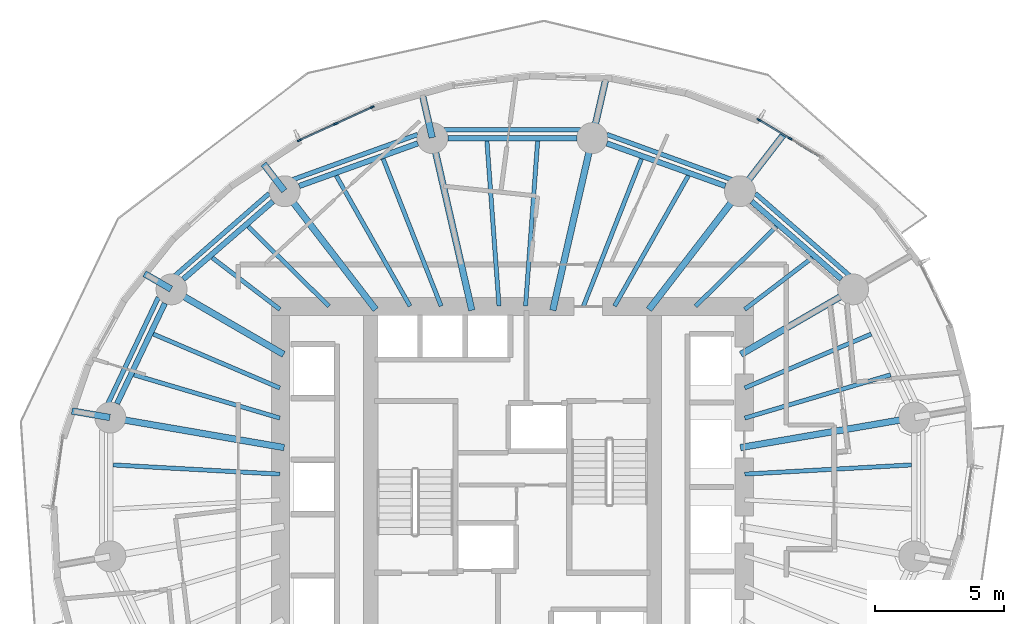
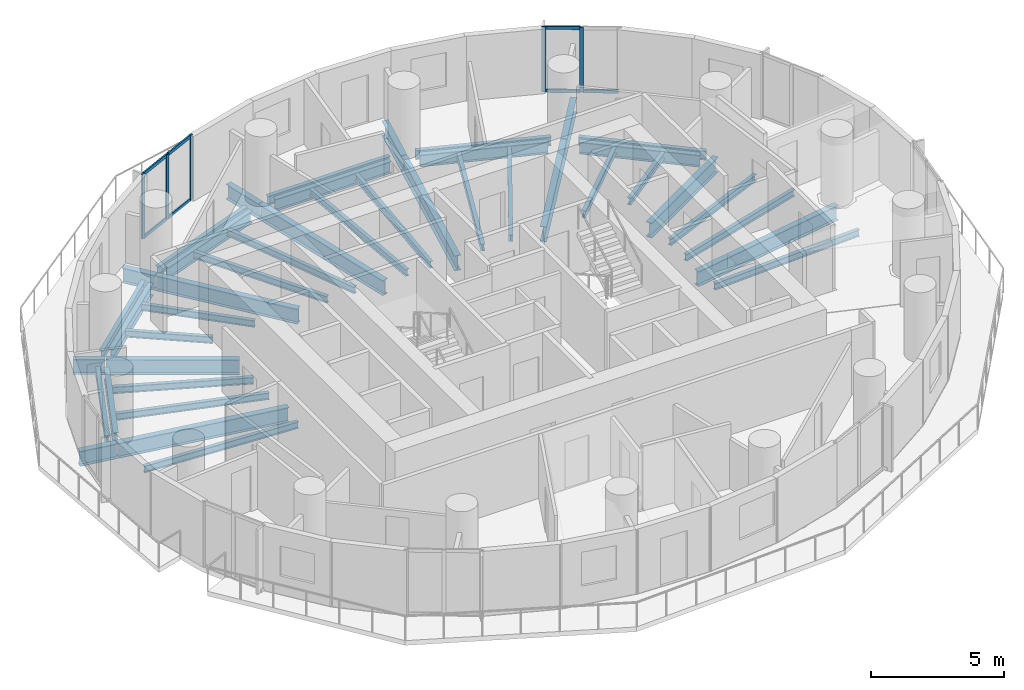
# One storey, part 4 of 14: 42 beams, 12 members, 2 elements without a shape of their own.
"""IFC4 building model written with IfcOpenShell, lengths in metres."""

from ifc_helpers import new_model, si_unit, direction, frame, origin, origin_2d, place, context, subcontext, project, spatial, rectangle, i_section, extrude, material, material_profile, profile_set, type_object, element, aggregate, save


model = new_model("IFC4")

# Units and contexts
model_context = context("Model", 3, precision=1e-05, world=origin(), true_north=direction((0.0, 1.0)))
body_context = subcontext(model_context, "Body", "Model", "MODEL_VIEW")
ifc_project = project(units=[si_unit("LENGTHUNIT", "METRE"), si_unit("AREAUNIT", "SQUARE_METRE"), si_unit("VOLUMEUNIT", "CUBIC_METRE"), si_unit("PLANEANGLEUNIT", "RADIAN"), si_unit("MASSUNIT", "GRAM", prefix="KILO")], contexts=[model_context])

# Site, building, storey
site_placement = place(None, origin())
site = spatial("IfcSite", under=ifc_project, at=site_placement, CompositionType="ELEMENT")
building_placement = place(site_placement, origin())
building = spatial("IfcBuilding", under=site, at=building_placement, Name="Veldorim Arch Residences", CompositionType="ELEMENT")
storey_placement = place(building_placement, frame((0.0, 0.0, 86.8798828125)))
storey = spatial("IfcBuildingStorey", under=building, at=storey_placement, Name="L25", CompositionType="ELEMENT", Elevation=86.8798828125)

# Beams
ifc_material_1 = material(Name="Steel S355", Category="steel")
ifc_material_profile_1 = material_profile(ifc_material_1, i_section(OverallWidth=0.2119140625, OverallDepth=0.54443359375, WebThickness=0.0126953125, FlangeThickness=0.021240234375, at=origin_2d()), Name="UB533x210x122")
ifc_profile_set_1 = profile_set([ifc_material_profile_1], Name="Steel S355")
beam_type_1 = type_object("IfcBeamType", Name="Structural Steel Beam UB533x210x122", PredefinedType="BEAM", material=ifc_profile_set_1)
beam_1_placement = place(storey_placement, frame((44.767333984375, 32.060302734375, -0.511962890625), z_axis=(-0.755244952556, 0.655442645576, 0.0), x_axis=(-0.655442645576, -0.755244952556, 0.0)))
element("IfcBeam", 1, at=beam_1_placement, inside=storey, type_object=beam_type_1, Name="L25 perimeter ring tie beam 02", PredefinedType="BEAM", context=body_context, shape_type="SweptSolid", body=[
    extrude(i_section(OverallWidth=0.2119140625, OverallDepth=0.54443359375, WebThickness=0.0126953125, FlangeThickness=0.021240234375, at=origin_2d()), origin(), (0.0, 0.0, 1.0), 4.608642578125),
])
beam_2_placement = place(storey_placement, frame((40.26904296875, 35.67724609375, -0.511962890625), z_axis=(-0.941041944493, 0.338289903343, 0.0), x_axis=(-0.338289903343, -0.941041944493, 0.0)))
element("IfcBeam", 2, at=beam_2_placement, inside=storey, type_object=beam_type_1, Name="L25 perimeter ring tie beam 03", PredefinedType="BEAM", context=body_context, shape_type="SweptSolid", body=[
    extrude(i_section(OverallWidth=0.2119140625, OverallDepth=0.54443359375, WebThickness=0.0126953125, FlangeThickness=0.021240234375, at=origin_2d()), origin(), (0.0, 0.0, 1.0), 4.890869140625),
])
beam_3_placement = place(storey_placement, frame((34.501953125, 37.534912109375, -0.511962890625), z_axis=(-1.0, 0.0, 0.0), x_axis=(0.0, -1.0, 0.0)))
element("IfcBeam", 3, at=beam_3_placement, inside=storey, type_object=beam_type_1, Name="L25 perimeter ring tie beam 04", PredefinedType="BEAM", context=body_context, shape_type="SweptSolid", body=[
    extrude(i_section(OverallWidth=0.2119140625, OverallDepth=0.54443359375, WebThickness=0.0126953125, FlangeThickness=0.021240234375, at=origin_2d()), origin(), (0.0, 0.0, 1.0), 5.00390625),
])
beam_4_placement = place(storey_placement, frame((28.33349609375, 37.331787109375, -0.511962890625), z_axis=(-0.941041944493, -0.338289903343, 0.0), x_axis=(0.338289903343, -0.941041944493, 0.0)))
element("IfcBeam", 4, at=beam_4_placement, inside=storey, type_object=beam_type_1, Name="L25 perimeter ring tie beam 05", PredefinedType="BEAM", context=body_context, shape_type="SweptSolid", body=[
    extrude(i_section(OverallWidth=0.2119140625, OverallDepth=0.54443359375, WebThickness=0.0126953125, FlangeThickness=0.021240234375, at=origin_2d()), origin(), (0.0, 0.0, 1.0), 4.890869140625),
])
beam_5_placement = place(storey_placement, frame((22.71337890625, 35.0810546875, -0.511962890625), z_axis=(-0.755244952556, -0.655442645576, 0.0), x_axis=(0.655442645576, -0.755244952556, 0.0)))
element("IfcBeam", 5, at=beam_5_placement, inside=storey, type_object=beam_type_1, Name="L25 perimeter ring tie beam 06", PredefinedType="BEAM", context=body_context, shape_type="SweptSolid", body=[
    extrude(i_section(OverallWidth=0.2119140625, OverallDepth=0.54443359375, WebThickness=0.0126953125, FlangeThickness=0.021240234375, at=origin_2d()), origin(), (0.0, 0.0, 1.0), 4.608642578125),
])
beam_6_placement = place(storey_placement, frame((18.521240234375, 31.12548828125, -0.511962890625), z_axis=(-0.430720154476, -0.902485539235, 0.0), x_axis=(0.902485539235, -0.430720154476, 0.0)))
element("IfcBeam", 6, at=beam_6_placement, inside=storey, type_object=beam_type_1, Name="L25 perimeter ring tie beam 07", PredefinedType="BEAM", context=body_context, shape_type="SweptSolid", body=[
    extrude(i_section(OverallWidth=0.2119140625, OverallDepth=0.54443359375, WebThickness=0.0126953125, FlangeThickness=0.021240234375, at=origin_2d()), origin(), (0.0, 0.0, 1.0), 4.312255859375),
])
ifc_material_2 = material(Name="Steel S355", Category="steel")
ifc_material_profile_2 = material_profile(ifc_material_2, i_section(OverallWidth=0.25439453125, OverallDepth=0.6875, WebThickness=0.01318359375, FlangeThickness=0.02099609375, at=origin_2d()), Name="UB686x254x152")
ifc_profile_set_2 = profile_set([ifc_material_profile_2], Name="Steel S355")
beam_type_2 = type_object("IfcBeamType", Name="Structural Steel GIRDER UB686x254x152", PredefinedType="USERDEFINED", material=ifc_profile_set_2)
beam_7_placement = place(storey_placement, frame((40.852294921875, 25.5283203125, -0.58349609375), z_axis=(0.985426622718, 0.17010106184, 0.0), x_axis=(-0.17010106184, 0.985426622718, 0.0)))
element("IfcBeam", 7, at=beam_7_placement, inside=storey, type_object=beam_type_2, Name="L25 radial floor girder 01", ObjectType="GIRDER", PredefinedType="USERDEFINED", context=body_context, shape_type="SweptSolid", body=[
    extrude(i_section(OverallWidth=0.25439453125, OverallDepth=0.6875, WebThickness=0.01318359375, FlangeThickness=0.02099609375, at=origin_2d()), origin(), (0.0, 0.0, 1.0), 6.82177734375),
])
beam_8_placement = place(storey_placement, frame((40.8701171875, 29.14404296875, -0.58349609375), z_axis=(0.865048957682, 0.501687453314, 0.0), x_axis=(-0.501687453314, 0.865048957682, 0.0)))
element("IfcBeam", 8, at=beam_8_placement, inside=storey, type_object=beam_type_2, Name="L25 radial floor girder 02", ObjectType="GIRDER", PredefinedType="USERDEFINED", context=body_context, shape_type="SweptSolid", body=[
    extrude(i_section(OverallWidth=0.25439453125, OverallDepth=0.6875, WebThickness=0.01318359375, FlangeThickness=0.02099609375, at=origin_2d()), origin(), (0.0, 0.0, 1.0), 5.009033203125),
])
beam_9_placement = place(storey_placement, frame((37.297607421875, 30.881103515625, -0.58349609375), z_axis=(0.609994628196, 0.792405548676, 0.0), x_axis=(-0.792405548676, 0.609994628196, 0.0)))
element("IfcBeam", 9, at=beam_9_placement, inside=storey, type_object=beam_type_2, Name="L25 radial floor girder 03", ObjectType="GIRDER", PredefinedType="USERDEFINED", context=body_context, shape_type="SweptSolid", body=[
    extrude(i_section(OverallWidth=0.25439453125, OverallDepth=0.6875, WebThickness=0.01318359375, FlangeThickness=0.02099609375, at=origin_2d()), origin(), (0.0, 0.0, 1.0), 5.776611328125),
])
beam_10_placement = place(storey_placement, frame((40.845703125, 35.489990234375, -0.58349609375), z_axis=(0.610003108496, 0.792399020459, 0.0), x_axis=(-0.792399020459, 0.610003108496, 0.0)))
element("IfcBeam", 10, at=beam_10_placement, inside=storey, type_object=beam_type_2, Name="L25 radial edge cantilever girder 03", ObjectType="GIRDER", PredefinedType="USERDEFINED", context=body_context, shape_type="SweptSolid", body=[
    extrude(i_section(OverallWidth=0.25439453125, OverallDepth=0.6875, WebThickness=0.01318359375, FlangeThickness=0.02099609375, at=origin_2d()), origin(), (0.0, 0.0, 1.0), 2.743896484375),
])
beam_11_placement = place(storey_placement, frame((33.57080078125, 30.853759765625, -0.58349609375), z_axis=(0.223374742148, 0.97473264261, 0.0), x_axis=(-0.97473264261, 0.223374742148, 0.0)))
element("IfcBeam", 11, at=beam_11_placement, inside=storey, type_object=beam_type_2, Name="L25 radial floor girder 04", ObjectType="GIRDER", PredefinedType="USERDEFINED", context=body_context, shape_type="SweptSolid", body=[
    extrude(i_section(OverallWidth=0.25439453125, OverallDepth=0.6875, WebThickness=0.01318359375, FlangeThickness=0.02099609375, at=origin_2d()), origin(), (0.0, 0.0, 1.0), 6.834228515625),
])
beam_12_placement = place(storey_placement, frame((35.1064453125, 37.55419921875, -0.58349609375), z_axis=(0.223325717101, 0.974743876145, 0.0), x_axis=(-0.974743876145, 0.223325717101, 0.0)))
element("IfcBeam", 12, at=beam_12_placement, inside=storey, type_object=beam_type_2, Name="L25 radial edge cantilever girder 04", ObjectType="GIRDER", PredefinedType="USERDEFINED", context=body_context, shape_type="SweptSolid", body=[
    extrude(i_section(OverallWidth=0.25439453125, OverallDepth=0.6875, WebThickness=0.01318359375, FlangeThickness=0.02099609375, at=origin_2d()), origin(), (0.0, 0.0, 1.0), 2.395263671875),
])
beam_13_placement = place(storey_placement, frame((30.42919921875, 30.853759765625, -0.58349609375), z_axis=(-0.223374742148, 0.97473264261, 0.0), x_axis=(-0.97473264261, -0.223374742148, 0.0)))
element("IfcBeam", 13, at=beam_13_placement, inside=storey, type_object=beam_type_2, Name="L25 radial floor girder 05", ObjectType="GIRDER", PredefinedType="USERDEFINED", context=body_context, shape_type="SweptSolid", body=[
    extrude(i_section(OverallWidth=0.25439453125, OverallDepth=0.6875, WebThickness=0.01318359375, FlangeThickness=0.02099609375, at=origin_2d()), origin(), (0.0, 0.0, 1.0), 6.834228515625),
])
beam_14_placement = place(storey_placement, frame((28.8935546875, 37.55419921875, -0.58349609375), z_axis=(-0.223398006298, 0.974727310986, 0.0), x_axis=(-0.974727310986, -0.223398006298, 0.0)))
element("IfcBeam", 14, at=beam_14_placement, inside=storey, type_object=beam_type_2, Name="L25 radial edge cantilever girder 05", ObjectType="GIRDER", PredefinedType="USERDEFINED", context=body_context, shape_type="SweptSolid", body=[
    extrude(i_section(OverallWidth=0.25439453125, OverallDepth=0.6875, WebThickness=0.01318359375, FlangeThickness=0.02099609375, at=origin_2d()), origin(), (0.0, 0.0, 1.0), 1.769287109375),
])
beam_15_placement = place(storey_placement, frame((26.702392578125, 30.881103515625, -0.58349609375), z_axis=(-0.609994628196, 0.792405548676, 0.0), x_axis=(-0.792405548676, -0.609994628196, 0.0)))
element("IfcBeam", 15, at=beam_15_placement, inside=storey, type_object=beam_type_2, Name="L25 radial floor girder 06", ObjectType="GIRDER", PredefinedType="USERDEFINED", context=body_context, shape_type="SweptSolid", body=[
    extrude(i_section(OverallWidth=0.25439453125, OverallDepth=0.6875, WebThickness=0.01318359375, FlangeThickness=0.02099609375, at=origin_2d()), origin(), (0.0, 0.0, 1.0), 5.776611328125),
])
beam_16_placement = place(storey_placement, frame((23.154296875, 35.489990234375, -0.58349609375), z_axis=(-0.609952716704, 0.792437810421, 0.0), x_axis=(-0.792437810421, -0.609952716704, 0.0)))
element("IfcBeam", 16, at=beam_16_placement, inside=storey, type_object=beam_type_2, Name="L25 radial edge cantilever girder 06", ObjectType="GIRDER", PredefinedType="USERDEFINED", context=body_context, shape_type="SweptSolid", body=[
    extrude(i_section(OverallWidth=0.25439453125, OverallDepth=0.6875, WebThickness=0.01318359375, FlangeThickness=0.02099609375, at=origin_2d()), origin(), (0.0, 0.0, 1.0), 1.31640625),
])
beam_17_placement = place(storey_placement, frame((23.1298828125, 29.14404296875, -0.58349609375), z_axis=(-0.865048957682, 0.501687453314, 0.0), x_axis=(-0.501687453314, -0.865048957682, 0.0)))
element("IfcBeam", 17, at=beam_17_placement, inside=storey, type_object=beam_type_2, Name="L25 radial floor girder 07", ObjectType="GIRDER", PredefinedType="USERDEFINED", context=body_context, shape_type="SweptSolid", body=[
    extrude(i_section(OverallWidth=0.25439453125, OverallDepth=0.6875, WebThickness=0.01318359375, FlangeThickness=0.02099609375, at=origin_2d()), origin(), (0.0, 0.0, 1.0), 5.009033203125),
])
beam_18_placement = place(storey_placement, frame((18.76220703125, 31.677001953125, -0.58349609375), z_axis=(-0.865034732672, 0.501711980394, 0.0), x_axis=(-0.501711980394, -0.865034732672, 0.0)))
element("IfcBeam", 18, at=beam_18_placement, inside=storey, type_object=beam_type_2, Name="L25 radial edge cantilever girder 07", ObjectType="GIRDER", PredefinedType="USERDEFINED", context=body_context, shape_type="SweptSolid", body=[
    extrude(i_section(OverallWidth=0.25439453125, OverallDepth=0.6875, WebThickness=0.01318359375, FlangeThickness=0.02099609375, at=origin_2d()), origin(), (0.0, 0.0, 1.0), 1.196044921875),
])
beam_19_placement = place(storey_placement, frame((23.147705078125, 25.5283203125, -0.58349609375), z_axis=(-0.985426622718, 0.17010106184, 0.0), x_axis=(-0.17010106184, -0.985426622718, 0.0)))
element("IfcBeam", 19, at=beam_19_placement, inside=storey, type_object=beam_type_2, Name="L25 radial floor girder 08", ObjectType="GIRDER", PredefinedType="USERDEFINED", context=body_context, shape_type="SweptSolid", body=[
    extrude(i_section(OverallWidth=0.25439453125, OverallDepth=0.6875, WebThickness=0.01318359375, FlangeThickness=0.02099609375, at=origin_2d()), origin(), (0.0, 0.0, 1.0), 6.82177734375),
])
beam_20_placement = place(storey_placement, frame((16.3857421875, 26.695556640625, -0.58349609375), z_axis=(-0.985432749293, 0.170065565652, 0.0), x_axis=(-0.170065565652, -0.985432749293, 0.0)))
element("IfcBeam", 20, at=beam_20_placement, inside=storey, type_object=beam_type_2, Name="L25 radial edge cantilever girder 08", ObjectType="GIRDER", PredefinedType="USERDEFINED", context=body_context, shape_type="SweptSolid", body=[
    extrude(i_section(OverallWidth=0.25439453125, OverallDepth=0.6875, WebThickness=0.01318359375, FlangeThickness=0.02099609375, at=origin_2d()), origin(), (0.0, 0.0, 1.0), 1.494384765625),
])
ifc_material_3 = material(Name="Steel S355", Category="steel")
ifc_material_profile_3 = material_profile(ifc_material_3, i_section(OverallWidth=0.165771484375, OverallDepth=0.306640625, WebThickness=0.006591796875, FlangeThickness=0.01171875, at=origin_2d()), Name="UB305x165x46")
ifc_profile_set_3 = profile_set([ifc_material_profile_3], Name="Steel S355")
beam_type_3 = type_object("IfcBeamType", Name="Structural Steel Joist UB305x165x46", PredefinedType="JOIST", material=ifc_profile_set_3)
beam_21_placement = place(storey_placement, frame((41.019287109375, 26.673583984375, -0.39306640625), z_axis=(0.958753061488, 0.284240333324, 0.0), x_axis=(-0.284240333324, 0.958753061488, 0.0)))
element("IfcBeam", 21, at=beam_21_placement, inside=storey, type_object=beam_type_3, Name="L25 secondary radial floor joist 01-1", PredefinedType="JOIST", context=body_context, shape_type="SweptSolid", body=[
    extrude(i_section(OverallWidth=0.165771484375, OverallDepth=0.306640625, WebThickness=0.006591796875, FlangeThickness=0.01171875, at=origin_2d()), origin(), (0.0, 0.0, 1.0), 5.906005859375),
])
beam_22_placement = place(storey_placement, frame((41.018310546875, 27.841552734375, -0.39306640625), z_axis=(0.919997395122, 0.391924473552, 0.0), x_axis=(-0.391924473552, 0.919997395122, 0.0)))
element("IfcBeam", 22, at=beam_22_placement, inside=storey, type_object=beam_type_3, Name="L25 secondary radial floor joist 01-2", PredefinedType="JOIST", context=body_context, shape_type="SweptSolid", body=[
    extrude(i_section(OverallWidth=0.165771484375, OverallDepth=0.306640625, WebThickness=0.006591796875, FlangeThickness=0.01171875, at=origin_2d()), origin(), (0.0, 0.0, 1.0), 5.334716796875),
])
beam_23_placement = place(storey_placement, frame((41.015869140625, 30.888427734375, -0.39306640625), z_axis=(0.794594763594, 0.60714014994, 0.0), x_axis=(-0.60714014994, 0.794594763594, 0.0)))
element("IfcBeam", 23, at=beam_23_placement, inside=storey, type_object=beam_type_3, Name="L25 secondary radial floor joist 02-1", PredefinedType="JOIST", context=body_context, shape_type="SweptSolid", body=[
    extrude(i_section(OverallWidth=0.165771484375, OverallDepth=0.306640625, WebThickness=0.006591796875, FlangeThickness=0.01171875, at=origin_2d()), origin(), (0.0, 0.0, 1.0), 3.30419921875),
])
beam_24_placement = place(storey_placement, frame((39.114013671875, 31.013916015625, -0.39306640625), z_axis=(0.712111629941, 0.702066255066, 0.0), x_axis=(-0.702066255066, 0.712111629941, 0.0)))
element("IfcBeam", 24, at=beam_24_placement, inside=storey, type_object=beam_type_3, Name="L25 secondary radial floor joist 02-2", PredefinedType="JOIST", context=body_context, shape_type="SweptSolid", body=[
    extrude(i_section(OverallWidth=0.165771484375, OverallDepth=0.306640625, WebThickness=0.006591796875, FlangeThickness=0.01171875, at=origin_2d()), origin(), (0.0, 0.0, 1.0), 4.39892578125),
])
beam_25_placement = place(storey_placement, frame((35.96826171875, 31.017333984375, -0.39306640625), z_axis=(0.492227411199, 0.870466642476, 0.0), x_axis=(-0.870466642476, 0.492227411199, 0.0)))
element("IfcBeam", 25, at=beam_25_placement, inside=storey, type_object=beam_type_3, Name="L25 secondary radial floor joist 03-1", PredefinedType="JOIST", context=body_context, shape_type="SweptSolid", body=[
    extrude(i_section(OverallWidth=0.165771484375, OverallDepth=0.306640625, WebThickness=0.006591796875, FlangeThickness=0.01171875, at=origin_2d()), origin(), (0.0, 0.0, 1.0), 5.81494140625),
])
beam_26_placement = place(storey_placement, frame((34.761962890625, 31.0185546875, -0.39306640625), z_axis=(0.366194870364, 0.930538186707, 0.0), x_axis=(-0.930538186707, 0.366194870364, 0.0)))
element("IfcBeam", 26, at=beam_26_placement, inside=storey, type_object=beam_type_3, Name="L25 secondary radial floor joist 03-2", PredefinedType="JOIST", context=body_context, shape_type="SweptSolid", body=[
    extrude(i_section(OverallWidth=0.165771484375, OverallDepth=0.306640625, WebThickness=0.006591796875, FlangeThickness=0.01171875, at=origin_2d()), origin(), (0.0, 0.0, 1.0), 6.1396484375),
])
for number, where, z_axis, x_axis, name in (
    (27, (32.514892578125, 31.02001953125, -0.39306640625), (0.073143494169, 0.997321427254, 0.0), (-0.997321427254, 0.073143494169, 0.0), "L25 secondary radial floor joist 04-1"),
    (28, (31.485107421875, 31.02001953125, -0.39306640625), (-0.073143494169, 0.997321427254, 0.0), (-0.997321427254, -0.073143494169, 0.0), "L25 secondary radial floor joist 04-2"),
):
    element("IfcBeam", number, at=place(storey_placement, frame(where, z_axis=z_axis, x_axis=x_axis)), inside=storey, type_object=beam_type_3, Name=name, PredefinedType="JOIST", context=body_context, shape_type="SweptSolid", body=[
        extrude(i_section(OverallWidth=0.165771484375, OverallDepth=0.306640625, WebThickness=0.006591796875, FlangeThickness=0.01171875, at=origin_2d()), origin(), (0.0, 0.0, 1.0), 6.421875),
    ])
beam_27_placement = place(storey_placement, frame((29.238037109375, 31.0185546875, -0.39306640625), z_axis=(-0.366194870364, 0.930538186707, 0.0), x_axis=(-0.930538186707, -0.366194870364, 0.0)))
element("IfcBeam", 29, at=beam_27_placement, inside=storey, type_object=beam_type_3, Name="L25 secondary radial floor joist 05-1", PredefinedType="JOIST", context=body_context, shape_type="SweptSolid", body=[
    extrude(i_section(OverallWidth=0.165771484375, OverallDepth=0.306640625, WebThickness=0.006591796875, FlangeThickness=0.01171875, at=origin_2d()), origin(), (0.0, 0.0, 1.0), 6.1396484375),
])
beam_28_placement = place(storey_placement, frame((28.03173828125, 31.017333984375, -0.39306640625), z_axis=(-0.492227411199, 0.870466642476, 0.0), x_axis=(-0.870466642476, -0.492227411199, 0.0)))
element("IfcBeam", 30, at=beam_28_placement, inside=storey, type_object=beam_type_3, Name="L25 secondary radial floor joist 05-2", PredefinedType="JOIST", context=body_context, shape_type="SweptSolid", body=[
    extrude(i_section(OverallWidth=0.165771484375, OverallDepth=0.306640625, WebThickness=0.006591796875, FlangeThickness=0.01171875, at=origin_2d()), origin(), (0.0, 0.0, 1.0), 5.81494140625),
])
beam_29_placement = place(storey_placement, frame((24.885986328125, 31.013916015625, -0.39306640625), z_axis=(-0.712111629941, 0.702066255066, 0.0), x_axis=(-0.702066255066, -0.712111629941, 0.0)))
element("IfcBeam", 31, at=beam_29_placement, inside=storey, type_object=beam_type_3, Name="L25 secondary radial floor joist 06-1", PredefinedType="JOIST", context=body_context, shape_type="SweptSolid", body=[
    extrude(i_section(OverallWidth=0.165771484375, OverallDepth=0.306640625, WebThickness=0.006591796875, FlangeThickness=0.01171875, at=origin_2d()), origin(), (0.0, 0.0, 1.0), 4.39892578125),
])
beam_30_placement = place(storey_placement, frame((22.984130859375, 30.888427734375, -0.39306640625), z_axis=(-0.794594763594, 0.60714014994, 0.0), x_axis=(-0.60714014994, -0.794594763594, 0.0)))
element("IfcBeam", 32, at=beam_30_placement, inside=storey, type_object=beam_type_3, Name="L25 secondary radial floor joist 06-2", PredefinedType="JOIST", context=body_context, shape_type="SweptSolid", body=[
    extrude(i_section(OverallWidth=0.165771484375, OverallDepth=0.306640625, WebThickness=0.006591796875, FlangeThickness=0.01171875, at=origin_2d()), origin(), (0.0, 0.0, 1.0), 3.30419921875),
])
beam_31_placement = place(storey_placement, frame((22.981689453125, 27.841552734375, -0.39306640625), z_axis=(-0.919997395122, 0.391924473552, 0.0), x_axis=(-0.391924473552, -0.919997395122, 0.0)))
element("IfcBeam", 33, at=beam_31_placement, inside=storey, type_object=beam_type_3, Name="L25 secondary radial floor joist 07-1", PredefinedType="JOIST", context=body_context, shape_type="SweptSolid", body=[
    extrude(i_section(OverallWidth=0.165771484375, OverallDepth=0.306640625, WebThickness=0.006591796875, FlangeThickness=0.01171875, at=origin_2d()), origin(), (0.0, 0.0, 1.0), 5.334716796875),
])
beam_32_placement = place(storey_placement, frame((22.980712890625, 26.673583984375, -0.39306640625), z_axis=(-0.958753061488, 0.284240333324, 0.0), x_axis=(-0.284240333324, -0.958753061488, 0.0)))
element("IfcBeam", 34, at=beam_32_placement, inside=storey, type_object=beam_type_3, Name="L25 secondary radial floor joist 07-2", PredefinedType="JOIST", context=body_context, shape_type="SweptSolid", body=[
    extrude(i_section(OverallWidth=0.165771484375, OverallDepth=0.306640625, WebThickness=0.006591796875, FlangeThickness=0.01171875, at=origin_2d()), origin(), (0.0, 0.0, 1.0), 5.906005859375),
])
for number, where, z_axis, x_axis, name in (
    (35, (22.97998046875, 24.498291015625, -0.39306640625), (-0.99847713097, 0.055167190702, 0.0), (-0.055167190702, -0.99847713097, 0.0), "L25 secondary radial floor joist 08-1"),
    (36, (41.02001953125, 24.498291015625, -0.39306640625), (0.99847713097, 0.055167190702, 0.0), (-0.055167190702, 0.99847713097, 0.0), "L25 secondary radial floor joist 16-2"),
):
    element("IfcBeam", number, at=place(storey_placement, frame(where, z_axis=z_axis, x_axis=x_axis)), inside=storey, type_object=beam_type_3, Name=name, PredefinedType="JOIST", context=body_context, shape_type="SweptSolid", body=[
        extrude(i_section(OverallWidth=0.165771484375, OverallDepth=0.306640625, WebThickness=0.006591796875, FlangeThickness=0.01171875, at=origin_2d()), origin(), (0.0, 0.0, 1.0), 6.474365234375),
    ])
ifc_material_4 = material(Name="Steel S355", Category="steel")
ifc_material_profile_4 = material_profile(ifc_material_4, i_section(OverallWidth=0.1787109375, OverallDepth=0.409423828125, WebThickness=0.0087890625, FlangeThickness=0.014404296875, at=origin_2d()), Name="UB406x178x67")
ifc_profile_set_4 = profile_set([ifc_material_profile_4], Name="Steel S355")
beam_type_4 = type_object("IfcBeamType", Name="Structural Steel Spandrel UB406x178x67", PredefinedType="SPANDREL", material=ifc_profile_set_4)
beam_33_placement = place(storey_placement, frame((45.108154296875, 32.1796875, -0.464599609375), z_axis=(-0.753323239074, 0.65765043714, 0.0), x_axis=(-0.65765043714, -0.753323239074, 0.0)))
element("IfcBeam", 37, at=beam_33_placement, inside=storey, type_object=beam_type_4, Name="L25 perimeter chord spandrel beam 02", PredefinedType="SPANDREL", context=body_context, shape_type="SweptSolid", body=[
    extrude(i_section(OverallWidth=0.1787109375, OverallDepth=0.409423828125, WebThickness=0.0087890625, FlangeThickness=0.014404296875, at=origin_2d()), origin(), (0.0, 0.0, 1.0), 4.879150390625),
])
beam_34_placement = place(storey_placement, frame((40.538330078125, 35.91552734375, -0.464599609375), z_axis=(-0.940307501418, 0.340326024244, 0.0), x_axis=(-0.340326024244, -0.940307501418, 0.0)))
element("IfcBeam", 38, at=beam_34_placement, inside=storey, type_object=beam_type_4, Name="L25 perimeter chord spandrel beam 03", PredefinedType="SPANDREL", context=body_context, shape_type="SweptSolid", body=[
    extrude(i_section(OverallWidth=0.1787109375, OverallDepth=0.409423828125, WebThickness=0.0087890625, FlangeThickness=0.014404296875, at=origin_2d()), origin(), (0.0, 0.0, 1.0), 5.175048828125),
])
beam_35_placement = place(storey_placement, frame((34.647705078125, 37.8564453125, -0.464599609375), z_axis=(-1.0, 0.0, 0.0), x_axis=(0.0, -1.0, 0.0)))
element("IfcBeam", 39, at=beam_35_placement, inside=storey, type_object=beam_type_4, Name="L25 perimeter chord spandrel beam 04", PredefinedType="SPANDREL", context=body_context, shape_type="SweptSolid", body=[
    extrude(i_section(OverallWidth=0.1787109375, OverallDepth=0.409423828125, WebThickness=0.0087890625, FlangeThickness=0.014404296875, at=origin_2d()), origin(), (0.0, 0.0, 1.0), 5.29541015625),
])
beam_36_placement = place(storey_placement, frame((28.327880859375, 37.6767578125, -0.464599609375), z_axis=(-0.940307501418, -0.340326024244, 0.0), x_axis=(0.340326024244, -0.940307501418, 0.0)))
element("IfcBeam", 40, at=beam_36_placement, inside=storey, type_object=beam_type_4, Name="L25 perimeter chord spandrel beam 05", PredefinedType="SPANDREL", context=body_context, shape_type="SweptSolid", body=[
    extrude(i_section(OverallWidth=0.1787109375, OverallDepth=0.409423828125, WebThickness=0.0087890625, FlangeThickness=0.014404296875, at=origin_2d()), origin(), (0.0, 0.0, 1.0), 5.175048828125),
])
beam_37_placement = place(storey_placement, frame((22.5673828125, 35.388427734375, -0.464599609375), z_axis=(-0.753323239074, -0.65765043714, 0.0), x_axis=(0.65765043714, -0.753323239074, 0.0)))
element("IfcBeam", 41, at=beam_37_placement, inside=storey, type_object=beam_type_4, Name="L25 perimeter chord spandrel beam 06", PredefinedType="SPANDREL", context=body_context, shape_type="SweptSolid", body=[
    extrude(i_section(OverallWidth=0.1787109375, OverallDepth=0.409423828125, WebThickness=0.0087890625, FlangeThickness=0.014404296875, at=origin_2d()), origin(), (0.0, 0.0, 1.0), 4.879150390625),
])
beam_38_placement = place(storey_placement, frame((18.267578125, 31.35546875, -0.464599609375), z_axis=(-0.428857472204, -0.903372165021, 0.0), x_axis=(0.903372165021, -0.428857472204, 0.0)))
element("IfcBeam", 42, at=beam_38_placement, inside=storey, type_object=beam_type_4, Name="L25 perimeter chord spandrel beam 07", PredefinedType="SPANDREL", context=body_context, shape_type="SweptSolid", body=[
    extrude(i_section(OverallWidth=0.1787109375, OverallDepth=0.409423828125, WebThickness=0.0087890625, FlangeThickness=0.014404296875, at=origin_2d()), origin(), (0.0, 0.0, 1.0), 4.572021484375),
])

# Curtain wall, members
ifc_material_5 = material(Name="Aluminium", Category="aluminium")
curtain_wall_type = type_object("IfcCurtainWallType", Name="Zone 2 Solar-Control Unitised Curtain Wall", PredefinedType="NOTDEFINED", material=ifc_material_5)
curtain_wall_1_placement = place(storey_placement, origin())
curtain_wall_1 = element("IfcCurtainWall", 43, at=curtain_wall_1_placement, inside=storey, type_object=curtain_wall_type, Name="L25 unitised curtain wall bay 04", PredefinedType="NOTDEFINED")
ifc_material_6 = material(Name="Aluminium", Category="aluminium")
ifc_material_profile_5 = material_profile(ifc_material_6, rectangle(XDim=0.06494140625, YDim=0.1650390625, at=origin_2d()), Name="ALU_MUL_65x165")
ifc_profile_set_5 = profile_set([ifc_material_profile_5], Name="Aluminium")
member_type_1 = type_object("IfcMemberType", Name="Zone 2 Solar-Control Unitised Curtain Wall Mullion 65x165", PredefinedType="MULLION", material=ifc_profile_set_5)
member_1_placement = place(storey_placement, frame((41.569091796875, 38.244873046875, 0.0), z_axis=(0.0, 0.0, 1.0), x_axis=(0.514313089023, 0.857602499098, 0.0)))
member_1 = element("IfcMember", 44, at=member_1_placement, type_object=member_type_1, Name="CW-Z2 mullion 1", PredefinedType="MULLION", context=body_context, shape_type="SweptSolid", body=[
    extrude(rectangle(XDim=0.06494140625, YDim=0.1650390625, at=origin_2d()), origin(), (0.0, 0.0, 1.0), 2.960205078125),
])
member_2_placement = place(storey_placement, frame((42.7841796875, 37.516357421875, 0.0), z_axis=(0.0, 0.0, 1.0), x_axis=(0.514313089023, 0.857602499098, 0.0)))
member_2 = element("IfcMember", 45, at=member_2_placement, type_object=member_type_1, Name="CW-Z2 mullion 2", PredefinedType="MULLION", context=body_context, shape_type="SweptSolid", body=[
    extrude(rectangle(XDim=0.06494140625, YDim=0.1650390625, at=origin_2d()), origin(), (0.0, 0.0, 1.0), 2.960205078125),
])

curtain_wall_2_placement = place(storey_placement, origin())
curtain_wall_2 = element("IfcCurtainWall", 46, at=curtain_wall_2_placement, inside=storey, type_object=curtain_wall_type, Name="L25 unitised curtain wall bay 10", PredefinedType="NOTDEFINED")
member_3_placement = place(storey_placement, frame((23.737548828125, 37.448974609375, 0.0), z_axis=(0.0, 0.0, 1.0), x_axis=(-0.414741699201, 0.909939186399, 0.0)))
member_3 = element("IfcMember", 47, at=member_3_placement, type_object=member_type_1, Name="CW-Z2 mullion 1", PredefinedType="MULLION", context=body_context, shape_type="SweptSolid", body=[
    extrude(rectangle(XDim=0.06494140625, YDim=0.1650390625, at=origin_2d()), origin(), (0.0, 0.0, 1.0), 2.960205078125),
])
member_4_placement = place(storey_placement, frame((25.14990234375, 38.0927734375, 0.0), z_axis=(0.0, 0.0, 1.0), x_axis=(-0.414741699201, 0.909939186399, 0.0)))
member_4 = element("IfcMember", 48, at=member_4_placement, type_object=member_type_1, Name="CW-Z2 mullion 2", PredefinedType="MULLION", context=body_context, shape_type="SweptSolid", body=[
    extrude(rectangle(XDim=0.06494140625, YDim=0.1650390625, at=origin_2d()), origin(), (0.0, 0.0, 1.0), 2.960205078125),
])
member_5_placement = place(storey_placement, frame((26.562255859375, 38.736572265625, 0.0), z_axis=(0.0, 0.0, 1.0), x_axis=(-0.414741699201, 0.909939186399, 0.0)))
member_5 = element("IfcMember", 49, at=member_5_placement, type_object=member_type_1, Name="CW-Z2 mullion 3", PredefinedType="MULLION", context=body_context, shape_type="SweptSolid", body=[
    extrude(rectangle(XDim=0.06494140625, YDim=0.1650390625, at=origin_2d()), origin(), (0.0, 0.0, 1.0), 2.960205078125),
])

# Member
ifc_material_7 = material(Name="Aluminium", Category="aluminium")
ifc_material_profile_6 = material_profile(ifc_material_7, rectangle(XDim=0.06494140625, YDim=0.14501953125, at=origin_2d()), Name="ALU_TRN_65x145")
ifc_profile_set_6 = profile_set([ifc_material_profile_6], Name="Aluminium")
member_type_2 = type_object("IfcMemberType", Name="Zone 2 Solar-Control Unitised Curtain Wall Transom 65x145", PredefinedType="USERDEFINED", material=ifc_profile_set_6)
member_6_placement = place(storey_placement, frame((41.596923828125, 38.228271484375, 0.03271484375), z_axis=(0.857604444173, -0.514309845653, 0.0), x_axis=(0.514309845653, 0.857604444173, 0.0)))
member_6 = element("IfcMember", 50, at=member_6_placement, type_object=member_type_2, Name="CW-Z2 transom 1.1", ObjectType="TRANSOM", PredefinedType="USERDEFINED", context=body_context, shape_type="SweptSolid", body=[
    extrude(rectangle(XDim=0.06494140625, YDim=0.14501953125, at=origin_2d()), origin(), (0.0, 0.0, 1.0), 1.35205078125),
])

member_7_placement = place(storey_placement, frame((41.596923828125, 38.228271484375, 2.927734375), z_axis=(0.857604444173, -0.514309845653, 0.0), x_axis=(0.514309845653, 0.857604444173, 0.0)))
member_7 = element("IfcMember", 51, at=member_7_placement, type_object=member_type_2, Name="CW-Z2 transom 1.2", ObjectType="TRANSOM", PredefinedType="USERDEFINED", context=body_context, shape_type="SweptSolid", body=[
    extrude(rectangle(XDim=0.06494140625, YDim=0.14501953125, at=origin_2d()), origin(), (0.0, 0.0, 1.0), 1.35205078125),
])

member_8_placement = place(storey_placement, frame((42.81201171875, 37.49951171875, 0.03271484375), z_axis=(0.857636334709, -0.514256664894, 0.0), x_axis=(0.514256664894, 0.857636334709, 0.0)))
member_8 = element("IfcMember", 52, at=member_8_placement, type_object=member_type_2, Name="CW-Z2 transom 2.1", ObjectType="TRANSOM", PredefinedType="USERDEFINED", context=body_context, shape_type="SweptSolid", body=[
    extrude(rectangle(XDim=0.06494140625, YDim=0.14501953125, at=origin_2d()), origin(), (0.0, 0.0, 1.0), 1.3515625),
])

aggregate(curtain_wall_1, [member_1, member_2, member_6, member_7, member_8])

member_9_placement = place(storey_placement, frame((23.76708984375, 37.462646484375, 0.03271484375), z_axis=(0.909966885457, 0.414680922364, 0.0), x_axis=(-0.414680922364, 0.909966885457, 0.0)))
member_9 = element("IfcMember", 53, at=member_9_placement, type_object=member_type_2, Name="CW-Z2 transom 1.1", ObjectType="TRANSOM", PredefinedType="USERDEFINED", context=body_context, shape_type="SweptSolid", body=[
    extrude(rectangle(XDim=0.06494140625, YDim=0.14501953125, at=origin_2d()), origin(), (0.0, 0.0, 1.0), 1.487060546875),
])

member_10_placement = place(storey_placement, frame((23.76708984375, 37.462646484375, 2.927734375), z_axis=(0.909966885457, 0.414680922364, 0.0), x_axis=(-0.414680922364, 0.909966885457, 0.0)))
member_10 = element("IfcMember", 54, at=member_10_placement, type_object=member_type_2, Name="CW-Z2 transom 1.2", ObjectType="TRANSOM", PredefinedType="USERDEFINED", context=body_context, shape_type="SweptSolid", body=[
    extrude(rectangle(XDim=0.06494140625, YDim=0.14501953125, at=origin_2d()), origin(), (0.0, 0.0, 1.0), 1.487060546875),
])

member_11_placement = place(storey_placement, frame((25.179443359375, 38.1064453125, 0.03271484375), z_axis=(0.909966885457, 0.414680922364, 0.0), x_axis=(-0.414680922364, 0.909966885457, 0.0)))
member_11 = element("IfcMember", 55, at=member_11_placement, type_object=member_type_2, Name="CW-Z2 transom 2.1", ObjectType="TRANSOM", PredefinedType="USERDEFINED", context=body_context, shape_type="SweptSolid", body=[
    extrude(rectangle(XDim=0.06494140625, YDim=0.14501953125, at=origin_2d()), origin(), (0.0, 0.0, 1.0), 1.487060546875),
])

member_12_placement = place(storey_placement, frame((25.179443359375, 38.1064453125, 2.927734375), z_axis=(0.909966885457, 0.414680922364, 0.0), x_axis=(-0.414680922364, 0.909966885457, 0.0)))
member_12 = element("IfcMember", 56, at=member_12_placement, type_object=member_type_2, Name="CW-Z2 transom 2.2", ObjectType="TRANSOM", PredefinedType="USERDEFINED", context=body_context, shape_type="SweptSolid", body=[
    extrude(rectangle(XDim=0.06494140625, YDim=0.14501953125, at=origin_2d()), origin(), (0.0, 0.0, 1.0), 1.487060546875),
])

aggregate(curtain_wall_2, [member_3, member_4, member_5, member_9, member_10, member_11, member_12])

save(model, "model.ifc")
